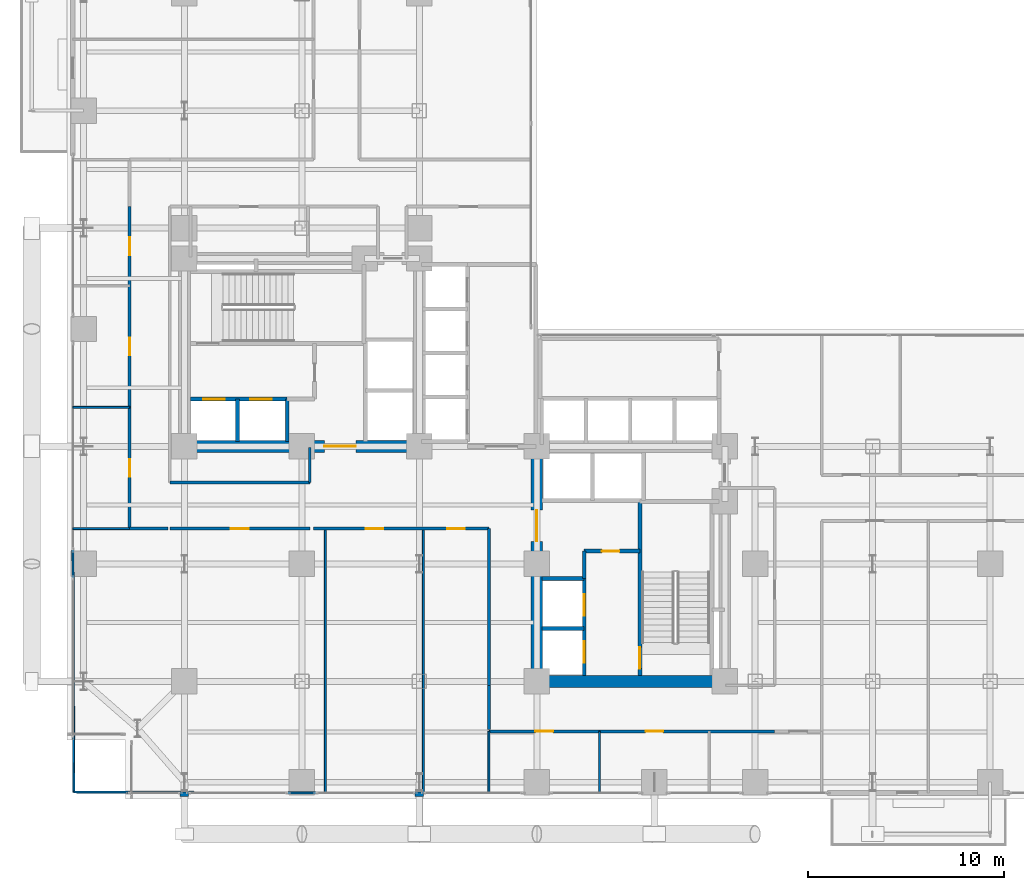
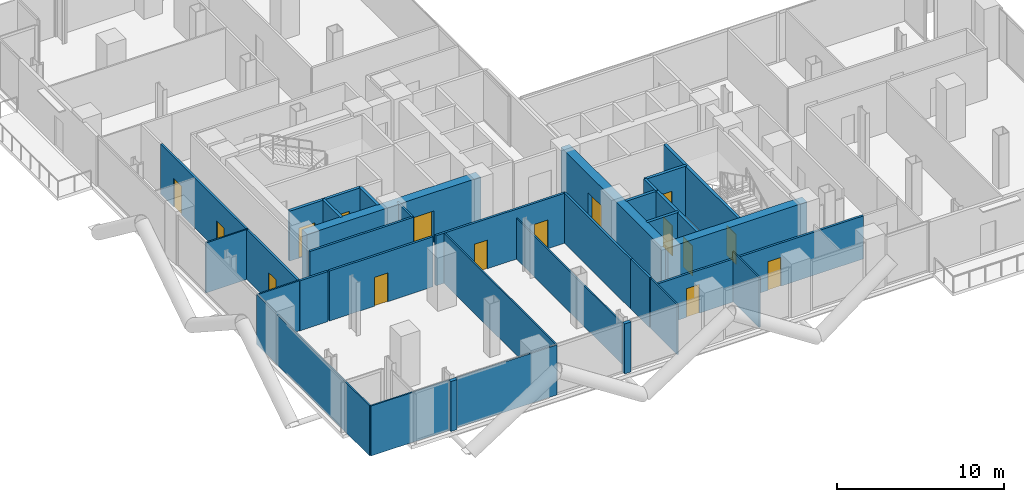
# One storey, part 21 of 27: 32 walls, 16 doors, 16 openings.
"""IFC4 building model written with IfcOpenShell, lengths in metres."""

from ifc_helpers import new_model, si_unit, direction, frame, frame_2d, origin, place, context, subcontext, project, spatial, rectangle, extrude, material, layer, layer_set, type_object, element, fill, save


model = new_model("IFC4")

# Units and contexts
model_context = context("Model", 3, precision=1e-05, world=origin(), true_north=direction((0.0, 1.0)))
body_context = subcontext(model_context, "Body", "Model", "MODEL_VIEW")
ifc_project = project(units=[si_unit("LENGTHUNIT", "METRE"), si_unit("AREAUNIT", "SQUARE_METRE"), si_unit("VOLUMEUNIT", "CUBIC_METRE"), si_unit("PLANEANGLEUNIT", "RADIAN"), si_unit("MASSUNIT", "GRAM", prefix="KILO"), si_unit("THERMODYNAMICTEMPERATUREUNIT", "KELVIN"), si_unit("POWERUNIT", "WATT")], contexts=[model_context])

# Site, building, storey
site_placement = place(None, origin())
site = spatial("IfcSite", under=ifc_project, at=site_placement, CompositionType="ELEMENT")
building_placement = place(site_placement, origin())
building = spatial("IfcBuilding", under=site, at=building_placement, Name="Svarakhadi Broadcast Tower", CompositionType="ELEMENT")
storey_placement = place(building_placement, frame((0.0, 0.0, 40.199951171875)))
storey = spatial("IfcBuildingStorey", under=building, at=storey_placement, Name="L08", CompositionType="ELEMENT", Elevation=40.199951171875)

# Walls
ifc_material_1 = material(Name="Concrete C40/50 (IS 456 M50)", Category="concrete")
ifc_layer_1 = layer(ifc_material_1, 0.239990234375)
ifc_layer_set_1 = layer_set([ifc_layer_1], Name="Concrete C40/50 (IS 456 M50)")
wall_type_1 = type_object("IfcWallType", Name="Wall_Ext_240", PredefinedType="SOLIDWALL", material=ifc_layer_set_1)
for number, where, z_axis, x_axis, name in (
    (1, (18.215087890625, 0.239990234375, 0.0), (0.0, 0.0, 1.0), (-1.0, 0.0, 0.0), "L08 Perimeter Bronze Spandrel Closure Wall 05"),
    (2, (6.215087890625, 0.239990234375, 0.0), (0.0, 0.0, 1.0), (-1.0, 0.0, 0.0), "L08 Perimeter Bronze Spandrel Closure Wall 06"),
):
    element("IfcWall", number, at=place(storey_placement, frame(where, z_axis=z_axis, x_axis=x_axis)), inside=storey, type_object=wall_type_1, Name=name, PredefinedType="SOLIDWALL", context=body_context, shape_type="SweptSolid", body=[
        extrude(rectangle(XDim=0.43017578125, YDim=0.239990234375, at=frame_2d((0.215087890625, 0.0))), origin(), (0.0, 0.0, 1.0), 3.650146484375),
    ])
ifc_material_2 = material(Name="Fire-Rated Moisture-Resistant Gypsum Board Partition", Category="gypsum")
ifc_layer_2 = layer(ifc_material_2, 0.10009765625)
ifc_layer_set_2 = layer_set([ifc_layer_2], Name="Fire-Rated Moisture-Resistant Gypsum Board Partition")
wall_type_2 = type_object("IfcWallType", Name="Wall_Part_100", PredefinedType="PARTITIONING", material=ifc_layer_set_2)
wall_1_placement = place(storey_placement, frame((0.35009765625, 0.35009765625, 0.0), z_axis=(0.0, 0.0, 1.0), x_axis=(0.999992363151, -0.003908150379, 0.0)))
element("IfcWall", 3, at=wall_1_placement, inside=storey, type_object=wall_type_2, Name="L08 Main Broadcast Newsroom Open Desk Office Wall", PredefinedType="PARTITIONING", context=body_context, shape_type="SweptSolid", body=[
    extrude(rectangle(XDim=5.434814453125, YDim=0.10009765625, at=frame_2d((2.71728515625, 0.0))), origin(), (0.0, 0.0, 1.0), 3.650146484375),
])
wall_2_placement = place(storey_placement, frame((6.215087890625, 0.3271484375, 0.0), z_axis=(0.0, 0.0, 1.0), x_axis=(0.999992473807, -0.003879733121, 0.0)))
element("IfcWall", 4, at=wall_2_placement, inside=storey, type_object=wall_type_2, Name="L08 Main Broadcast Newsroom Open Desk Office Wall", PredefinedType="PARTITIONING", context=body_context, shape_type="SweptSolid", body=[
    extrude(rectangle(XDim=6.98486328125, YDim=0.10009765625, at=frame_2d((3.492431640625, 0.0))), origin(), (0.0, 0.0, 1.0), 3.650146484375),
])
wall_3_placement = place(storey_placement, frame((0.35009765625, 0.35009765625, 0.0), z_axis=(0.0, 0.0, 1.0), x_axis=(-0.003721090209, 0.99999307672, 0.0)))
element("IfcWall", 5, at=wall_3_placement, inside=storey, type_object=wall_type_2, Name="L08 Main Broadcast Newsroom Open Desk Office Wall", PredefinedType="PARTITIONING", context=body_context, shape_type="SweptSolid", body=[
    extrude(rectangle(XDim=13.449951171875, YDim=0.10009765625, at=frame_2d((6.72509765625, 0.0))), origin(), (0.0, 0.0, 1.0), 3.650146484375),
])
wall_4_placement = place(storey_placement, frame((13.199951171875, 0.300048828125, 0.0), z_axis=(0.0, 0.0, 1.0), x_axis=(0.0, 1.0, 0.0)))
element("IfcWall", 6, at=wall_4_placement, inside=storey, type_object=wall_type_2, Name="L08 Main Broadcast Newsroom Open Desk Office Wall", PredefinedType="PARTITIONING", context=body_context, shape_type="SweptSolid", body=[
    extrude(rectangle(XDim=13.5, YDim=0.10009765625, at=frame_2d((6.75, 0.0))), origin(), (0.0, 0.0, 1.0), 3.650146484375),
])
wall_5_placement = place(storey_placement, frame((18.199951171875, 0.300048828125, 0.0), z_axis=(0.0, 0.0, 1.0), x_axis=(0.0, 1.0, 0.0)))
element("IfcWall", 7, at=wall_5_placement, inside=storey, type_object=wall_type_2, Name="L08 Editorial Morning Conference Room Wall", PredefinedType="PARTITIONING", context=body_context, shape_type="SweptSolid", body=[
    extrude(rectangle(XDim=13.5, YDim=0.10009765625, at=frame_2d((6.75, 0.0))), origin(), (0.0, 0.0, 1.0), 2.991943359375),
])
for number, where, z_axis, x_axis, name in (
    (8, (0.300048828125, 13.800048828125, 0.0), (0.0, 0.0, 1.0), (1.0, 0.0, 0.0), "L08 Arabian Sea Commentary Booth Wall"),
    (9, (0.300048828125, 20.0, 0.0), (0.0, 0.0, 1.0), (1.0, 0.0, 0.0), "L08 Arabian Sea Commentary Booth Wall"),
):
    element("IfcWall", number, at=place(storey_placement, frame(where, z_axis=z_axis, x_axis=x_axis)), inside=storey, type_object=wall_type_2, Name=name, PredefinedType="PARTITIONING", context=body_context, shape_type="SweptSolid", body=[
        extrude(rectangle(XDim=2.89990234375, YDim=0.10009765625, at=frame_2d((1.449951171875, 0.0))), origin(), (0.0, 0.0, 1.0), 3.650146484375),
    ])
for number, where, z_axis, x_axis, name in (
    (10, (21.550048828125, 0.300048828125, 0.0), (0.0, 0.0, 1.0), (0.0, 1.0, 0.0), "L08 South Harbour Editorial Desk Wall"),
    (11, (27.199951171875, 0.300048828125, 0.0), (0.0, 0.0, 1.0), (0.0, 1.0, 0.0), "L08 South Harbour Editorial Desk Wall"),
):
    element("IfcWall", number, at=place(storey_placement, frame(where, z_axis=z_axis, x_axis=x_axis)), inside=storey, type_object=wall_type_2, Name=name, PredefinedType="PARTITIONING", context=body_context, shape_type="SweptSolid", body=[
        extrude(rectangle(XDim=3.14990234375, YDim=0.10009765625, at=frame_2d((1.574951171875, 0.0))), origin(), (0.0, 0.0, 1.0), 3.650146484375),
    ])

# Wall, openings, doors
ifc_material_3 = material(Name="Autoclaved Aerated Concrete Blockwork 150 mm", Category="masonry")
ifc_layer_3 = layer(ifc_material_3, 0.14990234375)
ifc_layer_set_3 = layer_set([ifc_layer_3], Name="Autoclaved Aerated Concrete Blockwork 150 mm")
wall_type_3 = type_object("IfcWallType", Name="Wall_Part_150", PredefinedType="PARTITIONING", material=ifc_layer_set_3)
wall_6_placement = place(storey_placement, frame((36.14990234375, 3.449951171875, 0.0), z_axis=(0.0, 0.0, 1.0), x_axis=(-1.0, 0.0, 0.0)))
wall_6 = element("IfcWall", 12, at=wall_6_placement, inside=storey, type_object=wall_type_3, Name="L08 Broadcast Corridor Wall", PredefinedType="PARTITIONING", context=body_context, shape_type="SweptSolid", body=[
    extrude(rectangle(XDim=14.599853515625, YDim=0.14990234375, at=frame_2d((7.2998046875, 0.0))), origin(), (0.0, 0.0, 1.0), 3.14208984375),
])
opening_1_placement = place(wall_6_placement, frame((11.324951171875, 0.0, 0.0)))
opening_1 = element("IfcOpeningElement", 13, at=opening_1_placement, cuts=wall_6, Name="Opening D-14", PredefinedType="OPENING", context=body_context, shape_type="SweptSolid", body=[
    extrude(rectangle(XDim=0.89990234375, YDim=2.10009765625, at=frame_2d((0.449951171875, 1.050048828125))), frame((0.0, 0.0849609375, 0.0), z_axis=(0.0, -1.0, 0.0), x_axis=(1.0, 0.0, 0.0)), (0.0, 0.0, 1.0), 0.169921875),
])
opening_2_placement = place(wall_6_placement, frame((5.699951171875, 0.0, 0.0)))
opening_2 = element("IfcOpeningElement", 14, at=opening_2_placement, cuts=wall_6, Name="Opening D-15", PredefinedType="OPENING", context=body_context, shape_type="SweptSolid", body=[
    extrude(rectangle(XDim=0.89990234375, YDim=2.10009765625, at=frame_2d((0.449951171875, 1.050048828125))), frame((0.0, 0.0849609375, 0.0), z_axis=(0.0, -1.0, 0.0), x_axis=(1.0, 0.0, 0.0)), (0.0, 0.0, 1.0), 0.169921875),
])
ifc_material_4 = material(Name="Solid-Core Teak Veneer Acoustic Timber Leaf", Category="wood")
door_type_1 = type_object("IfcDoorType", Name="Door_Int_D14", OperationType="SINGLE_SWING_LEFT", PredefinedType="DOOR", material=ifc_material_4)
door_1_placement = place(opening_1_placement, origin())
door_1 = element("IfcDoor", 15, at=door_1_placement, inside=storey, type_object=door_type_1, Name="L08 South Harbour Editorial Desk Door", OperationType="SINGLE_SWING_LEFT", OverallHeight=2.10009765625, OverallWidth=0.89990234375, PredefinedType="DOOR", context=body_context, shape_type="SweptSolid", body=[
    extrude(rectangle(XDim=0.89990234375, YDim=2.10009765625, at=frame_2d((0.449951171875, 1.050048828125))), frame((0.0, 0.02490234375, 0.0), z_axis=(0.0, -1.0, 0.0), x_axis=(1.0, 0.0, 0.0)), (0.0, 0.0, 1.0), 0.050048828125),
])
fill(opening_1, door_1)
door_type_2 = type_object("IfcDoorType", Name="Door_Int_D15", OperationType="SINGLE_SWING_RIGHT", PredefinedType="DOOR", material=ifc_material_4)
door_2_placement = place(opening_2_placement, origin())
door_2 = element("IfcDoor", 16, at=door_2_placement, inside=storey, type_object=door_type_2, Name="L08 Media Legal Review Office Door", OperationType="SINGLE_SWING_RIGHT", OverallHeight=2.10009765625, OverallWidth=0.89990234375, PredefinedType="DOOR", context=body_context, shape_type="SweptSolid", body=[
    extrude(rectangle(XDim=0.89990234375, YDim=2.10009765625, at=frame_2d((0.449951171875, 1.050048828125))), frame((0.0, 0.02490234375, 0.0), z_axis=(0.0, -1.0, 0.0), x_axis=(1.0, 0.0, 0.0)), (0.0, 0.0, 1.0), 0.050048828125),
])
fill(opening_2, door_2)

# Walls
wall_7_placement = place(storey_placement, frame((21.550048828125, 3.550048828125, 0.0), z_axis=(0.0, 0.0, 1.0), x_axis=(0.0, 1.0, 0.0)))
element("IfcWall", 17, at=wall_7_placement, inside=storey, type_object=wall_type_3, Name="L08 Broadcast Corridor Wall", PredefinedType="PARTITIONING", context=body_context, shape_type="SweptSolid", body=[
    extrude(rectangle(XDim=2.25, YDim=0.14990234375, at=frame_2d((1.125, 0.0))), origin(), (0.0, 0.0, 1.0), 3.650146484375),
])
wall_8_placement = place(storey_placement, frame((21.550048828125, 5.800048828125, 0.0), z_axis=(0.0, 0.0, 1.0), x_axis=(0.0, 1.0, 0.0)))
element("IfcWall", 18, at=wall_8_placement, inside=storey, type_object=wall_type_3, Name="L08 Broadcast Corridor Wall", PredefinedType="PARTITIONING", context=body_context, shape_type="SweptSolid", body=[
    extrude(rectangle(XDim=8.0, YDim=0.14990234375, at=frame_2d((4.0, 0.0))), origin(), (0.0, 0.0, 1.0), 3.650146484375),
])

# Wall, openings, doors
wall_9_placement = place(storey_placement, frame((21.550048828125, 13.800048828125, 0.0), z_axis=(0.0, 0.0, 1.0), x_axis=(-1.0, 0.0, 0.0)))
wall_9 = element("IfcWall", 19, at=wall_9_placement, inside=storey, type_object=wall_type_3, Name="L08 Broadcast Corridor Wall", PredefinedType="PARTITIONING", context=body_context, shape_type="SweptSolid", body=[
    extrude(rectangle(XDim=8.949951171875, YDim=0.14990234375, at=frame_2d((4.47509765625, 0.0))), origin(), (0.0, 0.0, 1.0), 3.650146484375),
])
opening_3_placement = place(wall_9_placement, frame((5.39990234375, 0.0, 0.0)))
opening_3 = element("IfcOpeningElement", 20, at=opening_3_placement, cuts=wall_9, Name="Opening D-14", PredefinedType="OPENING", context=body_context, shape_type="SweptSolid", body=[
    extrude(rectangle(XDim=0.89990234375, YDim=2.10009765625, at=frame_2d((0.449951171875, 1.050048828125))), frame((0.0, 0.0849609375, 0.0), z_axis=(0.0, -1.0, 0.0), x_axis=(1.0, 0.0, 0.0)), (0.0, 0.0, 1.0), 0.169921875),
])
opening_4_placement = place(wall_9_placement, frame((1.22509765625, 0.0, 0.0)))
opening_4 = element("IfcOpeningElement", 21, at=opening_4_placement, cuts=wall_9, Name="Opening D-15", PredefinedType="OPENING", context=body_context, shape_type="SweptSolid", body=[
    extrude(rectangle(XDim=0.89990234375, YDim=2.10009765625, at=frame_2d((0.449951171875, 1.050048828125))), frame((0.0, 0.0849609375, 0.0), z_axis=(0.0, -1.0, 0.0), x_axis=(1.0, 0.0, 0.0)), (0.0, 0.0, 1.0), 0.169921875),
])
door_3_placement = place(opening_3_placement, origin())
door_3 = element("IfcDoor", 22, at=door_3_placement, inside=storey, type_object=door_type_1, Name="L08 Editorial Morning Conference Room Door", OperationType="SINGLE_SWING_LEFT", OverallHeight=2.10009765625, OverallWidth=0.89990234375, PredefinedType="DOOR", context=body_context, shape_type="SweptSolid", body=[
    extrude(rectangle(XDim=0.89990234375, YDim=2.10009765625, at=frame_2d((0.449951171875, 1.050048828125))), frame((0.0, 0.02490234375, 0.0), z_axis=(0.0, -1.0, 0.0), x_axis=(1.0, 0.0, 0.0)), (0.0, 0.0, 1.0), 0.050048828125),
])
fill(opening_3, door_3)
door_4_placement = place(opening_4_placement, origin())
door_4 = element("IfcDoor", 23, at=door_4_placement, inside=storey, type_object=door_type_2, Name="L08 Newsroom Tea Pantry Door", OperationType="SINGLE_SWING_RIGHT", OverallHeight=2.10009765625, OverallWidth=0.89990234375, PredefinedType="DOOR", context=body_context, shape_type="SweptSolid", body=[
    extrude(rectangle(XDim=0.89990234375, YDim=2.10009765625, at=frame_2d((0.449951171875, 1.050048828125))), frame((0.0, 0.02490234375, 0.0), z_axis=(0.0, -1.0, 0.0), x_axis=(1.0, 0.0, 0.0)), (0.0, 0.0, 1.0), 0.050048828125),
])
fill(opening_4, door_4)

# Wall, opening, door
wall_10_placement = place(storey_placement, frame((12.39990234375, 13.800048828125, 0.0), z_axis=(0.0, 0.0, 1.0), x_axis=(-1.0, 0.0, 0.0)))
wall_10 = element("IfcWall", 24, at=wall_10_placement, inside=storey, type_object=wall_type_3, Name="L08 Broadcast Corridor Wall", PredefinedType="PARTITIONING", context=body_context, shape_type="SweptSolid", body=[
    extrude(rectangle(XDim=7.14990234375, YDim=0.14990234375, at=frame_2d((3.574951171875, 0.0))), origin(), (0.0, 0.0, 1.0), 3.650146484375),
])
opening_5_placement = place(wall_10_placement, frame((3.125, 0.0, 0.0)))
opening_5 = element("IfcOpeningElement", 25, at=opening_5_placement, cuts=wall_10, Name="Opening D-14", PredefinedType="OPENING", context=body_context, shape_type="SweptSolid", body=[
    extrude(rectangle(XDim=0.89990234375, YDim=2.10009765625, at=frame_2d((0.449951171875, 1.050048828125))), frame((0.0, 0.0849609375, 0.0), z_axis=(0.0, -1.0, 0.0), x_axis=(1.0, 0.0, 0.0)), (0.0, 0.0, 1.0), 0.169921875),
])
door_5_placement = place(opening_5_placement, origin())
door_5 = element("IfcDoor", 26, at=door_5_placement, inside=storey, type_object=door_type_1, Name="L08 Main Broadcast Newsroom Open Desk Office Door", OperationType="SINGLE_SWING_LEFT", OverallHeight=2.10009765625, OverallWidth=0.89990234375, PredefinedType="DOOR", context=body_context, shape_type="SweptSolid", body=[
    extrude(rectangle(XDim=0.89990234375, YDim=2.10009765625, at=frame_2d((0.449951171875, 1.050048828125))), frame((0.0, 0.02490234375, 0.0), z_axis=(0.0, -1.0, 0.0), x_axis=(1.0, 0.0, 0.0)), (0.0, 0.0, 1.0), 0.050048828125),
])
fill(opening_5, door_5)

# Wall
wall_11_placement = place(storey_placement, frame((5.14990234375, 13.800048828125, 0.0), z_axis=(0.0, 0.0, 1.0), x_axis=(-1.0, 0.0, 0.0)))
element("IfcWall", 27, at=wall_11_placement, inside=storey, type_object=wall_type_3, Name="L08 Broadcast Corridor Wall", PredefinedType="PARTITIONING", context=body_context, shape_type="SweptSolid", body=[
    extrude(rectangle(XDim=1.949951171875, YDim=0.14990234375, at=frame_2d((0.97509765625, 0.0))), origin(), (0.0, 0.0, 1.0), 3.650146484375),
])

# Wall, openings, doors
wall_12_placement = place(storey_placement, frame((3.199951171875, 13.800048828125, 0.0), z_axis=(0.0, 0.0, 1.0), x_axis=(0.0, 1.0, 0.0)))
wall_12 = element("IfcWall", 28, at=wall_12_placement, inside=storey, type_object=wall_type_3, Name="L08 Broadcast Corridor Wall", PredefinedType="PARTITIONING", context=body_context, shape_type="SweptSolid", body=[
    extrude(rectangle(XDim=16.449951171875, YDim=0.14990234375, at=frame_2d((8.22509765625, 0.0))), origin(), (0.0, 0.0, 1.0), 3.650146484375),
])
opening_6_placement = place(wall_12_placement, frame((2.64990234375, 0.0, 0.0)))
opening_6 = element("IfcOpeningElement", 29, at=opening_6_placement, cuts=wall_12, Name="Opening D-15", PredefinedType="OPENING", context=body_context, shape_type="SweptSolid", body=[
    extrude(rectangle(XDim=0.89990234375, YDim=2.10009765625, at=frame_2d((0.449951171875, 1.050048828125))), frame((0.0, 0.0849609375, 0.0), z_axis=(0.0, -1.0, 0.0), x_axis=(1.0, 0.0, 0.0)), (0.0, 0.0, 1.0), 0.169921875),
])
opening_7_placement = place(wall_12_placement, frame((8.85009765625, 0.0, 0.0)))
opening_7 = element("IfcOpeningElement", 30, at=opening_7_placement, cuts=wall_12, Name="Opening D-14", PredefinedType="OPENING", context=body_context, shape_type="SweptSolid", body=[
    extrude(rectangle(XDim=0.89990234375, YDim=2.10009765625, at=frame_2d((0.449951171875, 1.050048828125))), frame((0.0, 0.0849609375, 0.0), z_axis=(0.0, -1.0, 0.0), x_axis=(1.0, 0.0, 0.0)), (0.0, 0.0, 1.0), 0.169921875),
])
opening_8_placement = place(wall_12_placement, frame((13.97509765625, 0.0, 0.0)))
opening_8 = element("IfcOpeningElement", 31, at=opening_8_placement, cuts=wall_12, Name="Opening D-15", PredefinedType="OPENING", context=body_context, shape_type="SweptSolid", body=[
    extrude(rectangle(XDim=0.89990234375, YDim=2.10009765625, at=frame_2d((0.449951171875, 1.050048828125))), frame((0.0, 0.0849609375, 0.0), z_axis=(0.0, -1.0, 0.0), x_axis=(1.0, 0.0, 0.0)), (0.0, 0.0, 1.0), 0.169921875),
])
door_6_placement = place(opening_7_placement, origin())
door_6 = element("IfcDoor", 32, at=door_6_placement, inside=storey, type_object=door_type_1, Name="L08 Live Translation Studio Door", OperationType="SINGLE_SWING_LEFT", OverallHeight=2.10009765625, OverallWidth=0.89990234375, PredefinedType="DOOR", context=body_context, shape_type="SweptSolid", body=[
    extrude(rectangle(XDim=0.89990234375, YDim=2.10009765625, at=frame_2d((0.449951171875, 1.050048828125))), frame((0.0, 0.02490234375, 0.0), z_axis=(0.0, -1.0, 0.0), x_axis=(1.0, 0.0, 0.0)), (0.0, 0.0, 1.0), 0.050048828125),
])
fill(opening_7, door_6)
door_7_placement = place(opening_6_placement, origin())
door_7 = element("IfcDoor", 33, at=door_7_placement, inside=storey, type_object=door_type_2, Name="L08 Arabian Sea Commentary Booth Door", OperationType="SINGLE_SWING_RIGHT", OverallHeight=2.10009765625, OverallWidth=0.89990234375, PredefinedType="DOOR", context=body_context, shape_type="SweptSolid", body=[
    extrude(rectangle(XDim=0.89990234375, YDim=2.10009765625, at=frame_2d((0.449951171875, 1.050048828125))), frame((0.0, 0.02490234375, 0.0), z_axis=(0.0, -1.0, 0.0), x_axis=(1.0, 0.0, 0.0)), (0.0, 0.0, 1.0), 0.050048828125),
])
fill(opening_6, door_7)
door_8_placement = place(opening_8_placement, origin())
door_8 = element("IfcDoor", 34, at=door_8_placement, inside=storey, type_object=door_type_2, Name="L08 Producer Quiet Lounge Door", OperationType="SINGLE_SWING_RIGHT", OverallHeight=2.10009765625, OverallWidth=0.89990234375, PredefinedType="DOOR", context=body_context, shape_type="SweptSolid", body=[
    extrude(rectangle(XDim=0.89990234375, YDim=2.10009765625, at=frame_2d((0.449951171875, 1.050048828125))), frame((0.0, 0.02490234375, 0.0), z_axis=(0.0, -1.0, 0.0), x_axis=(1.0, 0.0, 0.0)), (0.0, 0.0, 1.0), 0.050048828125),
])
fill(opening_8, door_8)

# Walls
wall_13_placement = place(storey_placement, frame((5.25, 16.14990234375, 0.0), z_axis=(0.0, 0.0, 1.0), x_axis=(1.0, 0.0, 0.0)))
element("IfcWall", 35, at=wall_13_placement, inside=storey, type_object=wall_type_3, Name="L08 Broadcast Corridor Wall", PredefinedType="PARTITIONING", context=body_context, shape_type="SweptSolid", body=[
    extrude(rectangle(XDim=7.14990234375, YDim=0.14990234375, at=frame_2d((3.574951171875, 0.0))), origin(), (0.0, 0.0, 1.0), 3.650146484375),
])
wall_14_placement = place(storey_placement, frame((12.39990234375, 16.14990234375, 0.0), z_axis=(0.0, 0.0, 1.0), x_axis=(0.0, 1.0, 0.0)))
element("IfcWall", 36, at=wall_14_placement, inside=storey, type_object=wall_type_3, Name="L08 Broadcast Corridor Wall", PredefinedType="PARTITIONING", context=body_context, shape_type="SweptSolid", body=[
    extrude(rectangle(XDim=1.800048828125, YDim=0.14990234375, at=frame_2d((0.89990234375, 0.0))), origin(), (0.0, 0.0, 1.0), 3.650146484375),
])

# Wall, opening, door
ifc_material_5 = material(Name="Concrete C50/60 (IS 456 M60)", Category="concrete")
ifc_layer_4 = layer(ifc_material_5, 0.199951171875)
ifc_layer_set_4 = layer_set([ifc_layer_4], Name="Concrete C50/60 (IS 456 M60)")
wall_type_4 = type_object("IfcWallType", Name="Wall_Shear_200", PredefinedType="SHEAR", material=ifc_layer_set_4)
wall_15_placement = place(storey_placement, frame((29.260009765625, 6.300048828125, 0.0), z_axis=(0.0, 0.0, 1.0), x_axis=(0.0, 1.0, 0.0)))
wall_15 = element("IfcWall", 37, at=wall_15_placement, inside=storey, type_object=wall_type_4, Name="L08 Stair ST-02 West RC Shaft Wall", PredefinedType="SHEAR", context=body_context, shape_type="SweptSolid", body=[
    extrude(rectangle(XDim=8.8798828125, YDim=0.199951171875, at=frame_2d((4.43994140625, 0.0))), origin(), (0.0, 0.0, 1.0), 3.650146484375),
])
opening_9_placement = place(wall_15_placement, frame((0.35009765625, 0.0, 0.0)))
opening_9 = element("IfcOpeningElement", 38, at=opening_9_placement, cuts=wall_15, Name="Opening D-02", PredefinedType="OPENING", context=body_context, shape_type="SweptSolid", body=[
    extrude(rectangle(XDim=1.10009765625, YDim=2.199951171875, at=frame_2d((0.550048828125, 1.10009765625))), frame((0.0, 0.10986328125, 0.0), z_axis=(0.0, -1.0, 0.0), x_axis=(1.0, 0.0, 0.0)), (0.0, 0.0, 1.0), 0.219970703125),
])
ifc_material_6 = material(Name="Galvanised Powder-Coated Fire-Rated Steel Leaf", Category="steel")
door_type_3 = type_object("IfcDoorType", Name="Door_Stair_D02", OperationType="SINGLE_SWING_RIGHT", PredefinedType="DOOR", material=ifc_material_6)
door_9_placement = place(opening_9_placement, origin())
door_9 = element("IfcDoor", 39, at=door_9_placement, inside=storey, type_object=door_type_3, Name="L08 Protected Exit Stair ST-02 Fire Door", OperationType="SINGLE_SWING_RIGHT", OverallHeight=2.199951171875, OverallWidth=1.10009765625, PredefinedType="DOOR", context=body_context, shape_type="SweptSolid", body=[
    extrude(rectangle(XDim=1.10009765625, YDim=2.199951171875, at=frame_2d((0.550048828125, 1.10009765625))), frame((0.0, 0.02490234375, 0.0), z_axis=(0.0, -1.0, 0.0), x_axis=(1.0, 0.0, 0.0)), (0.0, 0.0, 1.0), 0.050048828125),
])
fill(opening_9, door_9)

# Wall, openings, doors
wall_16_placement = place(storey_placement, frame((6.300048828125, 20.419921875, 0.0), z_axis=(0.0, 0.0, 1.0), x_axis=(1.0, 0.0, 0.0)))
wall_16 = element("IfcWall", 40, at=wall_16_placement, inside=storey, type_object=wall_type_4, Name="L08 Firefighting Lift LF-01/02 Shaft Wall", PredefinedType="SHEAR", context=body_context, shape_type="SweptSolid", body=[
    extrude(rectangle(XDim=4.949951171875, YDim=0.199951171875, at=frame_2d((2.47509765625, 0.0))), origin(), (0.0, 0.0, 1.0), 3.650146484375),
])
opening_10_placement = place(wall_16_placement, frame((0.64990234375, 0.0, 0.0)))
opening_10 = element("IfcOpeningElement", 41, at=opening_10_placement, cuts=wall_16, Name="Opening LD-01", PredefinedType="OPENING", context=body_context, shape_type="SweptSolid", body=[
    extrude(rectangle(XDim=1.10009765625, YDim=2.199951171875, at=frame_2d((0.550048828125, 1.10009765625))), frame((0.0, 0.10986328125, 0.0), z_axis=(0.0, -1.0, 0.0), x_axis=(1.0, 0.0, 0.0)), (0.0, 0.0, 1.0), 0.219970703125),
])
opening_11_placement = place(wall_16_placement, frame((3.050048828125, 0.0, 0.0)))
opening_11 = element("IfcOpeningElement", 42, at=opening_11_placement, cuts=wall_16, Name="Opening LD-01", PredefinedType="OPENING", context=body_context, shape_type="SweptSolid", body=[
    extrude(rectangle(XDim=1.10009765625, YDim=2.199951171875, at=frame_2d((0.550048828125, 1.10009765625))), frame((0.0, 0.10986328125, 0.0), z_axis=(0.0, -1.0, 0.0), x_axis=(1.0, 0.0, 0.0)), (0.0, 0.0, 1.0), 0.219970703125),
])
door_type_4 = type_object("IfcDoorType", Name="Door_Lift_LD01", OperationType="SLIDING_TO_LEFT", PredefinedType="DOOR", material=ifc_material_6)
door_10_placement = place(opening_10_placement, origin())
door_10 = element("IfcDoor", 43, at=door_10_placement, inside=storey, type_object=door_type_4, Name="L08 Firefighting Lift LF-01 Landing Door", OperationType="SLIDING_TO_LEFT", OverallHeight=2.199951171875, OverallWidth=1.10009765625, PredefinedType="DOOR", context=body_context, shape_type="SweptSolid", body=[
    extrude(rectangle(XDim=1.10009765625, YDim=2.199951171875, at=frame_2d((0.550048828125, 1.10009765625))), frame((0.0, 0.02490234375, 0.0), z_axis=(0.0, -1.0, 0.0), x_axis=(1.0, 0.0, 0.0)), (0.0, 0.0, 1.0), 0.050048828125),
])
fill(opening_10, door_10)
door_11_placement = place(opening_11_placement, origin())
door_11 = element("IfcDoor", 44, at=door_11_placement, inside=storey, type_object=door_type_4, Name="L08 Firefighting Lift LF-02 Landing Door", OperationType="SLIDING_TO_LEFT", OverallHeight=2.199951171875, OverallWidth=1.10009765625, PredefinedType="DOOR", context=body_context, shape_type="SweptSolid", body=[
    extrude(rectangle(XDim=1.10009765625, YDim=2.199951171875, at=frame_2d((0.550048828125, 1.10009765625))), frame((0.0, 0.02490234375, 0.0), z_axis=(0.0, -1.0, 0.0), x_axis=(1.0, 0.0, 0.0)), (0.0, 0.0, 1.0), 0.050048828125),
])
fill(opening_11, door_11)

# Walls
for number, where, z_axis, x_axis, name in (
    (45, (8.699951171875, 18.25, 0.0), (0.0, 0.0, 1.0), (0.0, 1.0, 0.0), "L08 Firefighting Lift LF-01/02 Divider Wall"),
    (46, (11.25, 18.25, 0.0), (0.0, 0.0, 1.0), (0.0, 1.0, 0.0), "L08 Firefighting Lift LF-02 East Wall"),
):
    element("IfcWall", number, at=place(storey_placement, frame(where, z_axis=z_axis, x_axis=x_axis)), inside=storey, type_object=wall_type_4, Name=name, PredefinedType="SHEAR", context=body_context, shape_type="SweptSolid", body=[
        extrude(rectangle(XDim=2.169921875, YDim=0.199951171875, at=frame_2d((1.0849609375, 0.0))), origin(), (0.0, 0.0, 1.0), 3.650146484375),
    ])

# Wall, openings, doors
wall_17_placement = place(storey_placement, frame((26.419921875, 6.300048828125, 0.0), z_axis=(0.0, 0.0, 1.0), x_axis=(0.0, 1.0, 0.0)))
wall_17 = element("IfcWall", 47, at=wall_17_placement, inside=storey, type_object=wall_type_4, Name="L08 Firefighting Lift LF-03/04 Shaft Wall", PredefinedType="SHEAR", context=body_context, shape_type="SweptSolid", body=[
    extrude(rectangle(XDim=4.949951171875, YDim=0.199951171875, at=frame_2d((2.47509765625, 0.0))), origin(), (0.0, 0.0, 1.0), 3.650146484375),
])
opening_12_placement = place(wall_17_placement, frame((0.64990234375, 0.0, 0.0)))
opening_12 = element("IfcOpeningElement", 48, at=opening_12_placement, cuts=wall_17, Name="Opening LD-01", PredefinedType="OPENING", context=body_context, shape_type="SweptSolid", body=[
    extrude(rectangle(XDim=1.10009765625, YDim=2.199951171875, at=frame_2d((0.550048828125, 1.10009765625))), frame((0.0, 0.10986328125, 0.0), z_axis=(0.0, -1.0, 0.0), x_axis=(1.0, 0.0, 0.0)), (0.0, 0.0, 1.0), 0.219970703125),
])
opening_13_placement = place(wall_17_placement, frame((3.050048828125, 0.0, 0.0)))
opening_13 = element("IfcOpeningElement", 49, at=opening_13_placement, cuts=wall_17, Name="Opening LD-01", PredefinedType="OPENING", context=body_context, shape_type="SweptSolid", body=[
    extrude(rectangle(XDim=1.10009765625, YDim=2.199951171875, at=frame_2d((0.550048828125, 1.10009765625))), frame((0.0, 0.10986328125, 0.0), z_axis=(0.0, -1.0, 0.0), x_axis=(1.0, 0.0, 0.0)), (0.0, 0.0, 1.0), 0.219970703125),
])
door_12_placement = place(opening_12_placement, origin())
door_12 = element("IfcDoor", 50, at=door_12_placement, inside=storey, type_object=door_type_4, Name="L08 Firefighting Lift LF-03 Landing Door", OperationType="SLIDING_TO_LEFT", OverallHeight=2.199951171875, OverallWidth=1.10009765625, PredefinedType="DOOR", context=body_context, shape_type="SweptSolid", body=[
    extrude(rectangle(XDim=1.10009765625, YDim=2.199951171875, at=frame_2d((0.550048828125, 1.10009765625))), frame((0.0, 0.02490234375, 0.0), z_axis=(0.0, -1.0, 0.0), x_axis=(1.0, 0.0, 0.0)), (0.0, 0.0, 1.0), 0.050048828125),
])
fill(opening_12, door_12)
door_13_placement = place(opening_13_placement, origin())
door_13 = element("IfcDoor", 51, at=door_13_placement, inside=storey, type_object=door_type_4, Name="L08 Firefighting Lift LF-04 Landing Door", OperationType="SLIDING_TO_LEFT", OverallHeight=2.199951171875, OverallWidth=1.10009765625, PredefinedType="DOOR", context=body_context, shape_type="SweptSolid", body=[
    extrude(rectangle(XDim=1.10009765625, YDim=2.199951171875, at=frame_2d((0.550048828125, 1.10009765625))), frame((0.0, 0.02490234375, 0.0), z_axis=(0.0, -1.0, 0.0), x_axis=(1.0, 0.0, 0.0)), (0.0, 0.0, 1.0), 0.050048828125),
])
fill(opening_13, door_13)

# Walls
for number, where, z_axis, x_axis, name in (
    (52, (24.25, 8.699951171875, 0.0), (0.0, 0.0, 1.0), (1.0, 0.0, 0.0), "L08 Firefighting Lift LF-03/04 Divider Wall"),
    (53, (24.25, 11.25, 0.0), (0.0, 0.0, 1.0), (1.0, 0.0, 0.0), "L08 Firefighting Lift LF-04 North Wall"),
):
    element("IfcWall", number, at=place(storey_placement, frame(where, z_axis=z_axis, x_axis=x_axis)), inside=storey, type_object=wall_type_4, Name=name, PredefinedType="SHEAR", context=body_context, shape_type="SweptSolid", body=[
        extrude(rectangle(XDim=2.169921875, YDim=0.199951171875, at=frame_2d((1.0849609375, 0.0))), origin(), (0.0, 0.0, 1.0), 3.650146484375),
    ])
wall_18_placement = place(storey_placement, frame((26.419921875, 11.25, 0.0), z_axis=(0.0, 0.0, 1.0), x_axis=(0.0, 1.0, 0.0)))
element("IfcWall", 54, at=wall_18_placement, inside=storey, type_object=wall_type_4, Name="L08 East Firefighting Lobby West Wall", PredefinedType="SHEAR", context=body_context, shape_type="SweptSolid", body=[
    extrude(rectangle(XDim=1.39990234375, YDim=0.199951171875, at=frame_2d((0.699951171875, 0.0))), origin(), (0.0, 0.0, 1.0), 3.650146484375),
])

# Wall, opening, door
wall_19_placement = place(storey_placement, frame((26.419921875, 12.64990234375, 0.0), z_axis=(0.0, 0.0, 1.0), x_axis=(1.0, 0.0, 0.0)))
wall_19 = element("IfcWall", 55, at=wall_19_placement, inside=storey, type_object=wall_type_4, Name="L08 East Firefighting Lobby North Wall", PredefinedType="SHEAR", context=body_context, shape_type="SweptSolid", body=[
    extrude(rectangle(XDim=2.840087890625, YDim=0.199951171875, at=frame_2d((1.419921875, 0.0))), origin(), (0.0, 0.0, 1.0), 3.650146484375),
])
opening_14_placement = place(wall_19_placement, frame((0.89990234375, 0.0, 0.0)))
opening_14 = element("IfcOpeningElement", 56, at=opening_14_placement, cuts=wall_19, Name="Opening D-04", PredefinedType="OPENING", context=body_context, shape_type="SweptSolid", body=[
    extrude(rectangle(XDim=0.89990234375, YDim=2.14990234375, at=frame_2d((0.449951171875, 1.074951171875))), frame((0.0, 0.10986328125, 0.0), z_axis=(0.0, -1.0, 0.0), x_axis=(1.0, 0.0, 0.0)), (0.0, 0.0, 1.0), 0.219970703125),
])
door_type_5 = type_object("IfcDoorType", Name="Door_Fire_D04", OperationType="SINGLE_SWING_RIGHT", PredefinedType="DOOR", material=ifc_material_6)
door_14_placement = place(opening_14_placement, origin())
door_14 = element("IfcDoor", 57, at=door_14_placement, inside=storey, type_object=door_type_5, Name="L08 East Firefighting Lobby Fire Door", OperationType="SINGLE_SWING_RIGHT", OverallHeight=2.14990234375, OverallWidth=0.89990234375, PredefinedType="DOOR", context=body_context, shape_type="SweptSolid", body=[
    extrude(rectangle(XDim=0.89990234375, YDim=2.14990234375, at=frame_2d((0.449951171875, 1.074951171875))), frame((0.0, 0.02490234375, 0.0), z_axis=(0.0, -1.0, 0.0), x_axis=(1.0, 0.0, 0.0)), (0.0, 0.0, 1.0), 0.050048828125),
])
fill(opening_14, door_14)

ifc_material_7 = material(Name="Concrete C60/75 (IS 456 M70)", Category="concrete")
ifc_layer_5 = layer(ifc_material_7, 0.60009765625)
ifc_layer_set_5 = layer_set([ifc_layer_5], Name="Concrete C60/75 (IS 456 M70)")
wall_type_5 = type_object("IfcWallType", Name="Wall_Shear_600", PredefinedType="SHEAR", material=ifc_layer_set_5)
wall_20_placement = place(storey_placement, frame((6.0, 18.0, 0.0), z_axis=(0.0, 0.0, 1.0), x_axis=(1.0, 0.0, 0.0)))
wall_20 = element("IfcWall", 58, at=wall_20_placement, inside=storey, type_object=wall_type_5, Name="L08 West Core South Shear Wall", PredefinedType="SHEAR", context=body_context, shape_type="SweptSolid", body=[
    extrude(rectangle(XDim=12.0, YDim=0.60009765625, at=frame_2d((6.0, 0.0))), origin(), (0.0, 0.0, 1.0), 3.650146484375),
])
opening_15_placement = place(wall_20_placement, frame((7.14990234375, 0.0, 0.0)))
opening_15 = element("IfcOpeningElement", 59, at=opening_15_placement, cuts=wall_20, Name="Opening D-05", PredefinedType="OPENING", context=body_context, shape_type="SweptSolid", body=[
    extrude(rectangle(XDim=1.60009765625, YDim=2.300048828125, at=frame_2d((0.800048828125, 1.14990234375))), frame((0.0, 0.31005859375, 0.0), z_axis=(0.0, -1.0, 0.0), x_axis=(1.0, 0.0, 0.0)), (0.0, 0.0, 1.0), 0.6201171875),
])
ifc_material_8 = material(Name="Anodised Bronze Aluminium AA 6063-T6", Category="aluminium")
door_type_6 = type_object("IfcDoorType", Name="Door_Lobby_D05", OperationType="DOUBLE_DOOR_SLIDING", PredefinedType="DOOR", material=ifc_material_8)
door_15_placement = place(opening_15_placement, origin())
door_15 = element("IfcDoor", 60, at=door_15_placement, inside=storey, type_object=door_type_6, Name="L08 West Core Passenger Lift Lobby Entrance Door", OperationType="DOUBLE_DOOR_SLIDING", OverallHeight=2.300048828125, OverallWidth=1.60009765625, PredefinedType="DOOR", context=body_context, shape_type="SweptSolid", body=[
    extrude(rectangle(XDim=1.60009765625, YDim=2.300048828125, at=frame_2d((0.800048828125, 1.14990234375))), frame((0.0, 0.02490234375, 0.0), z_axis=(0.0, -1.0, 0.0), x_axis=(1.0, 0.0, 0.0)), (0.0, 0.0, 1.0), 0.050048828125),
])
fill(opening_15, door_15)

# Wall
wall_21_placement = place(storey_placement, frame((24.0, 6.0, 0.0), z_axis=(0.0, 0.0, 1.0), x_axis=(1.0, 0.0, 0.0)))
element("IfcWall", 61, at=wall_21_placement, inside=storey, type_object=wall_type_5, Name="L08 East Core South Shear Wall", PredefinedType="SHEAR", context=body_context, shape_type="SweptSolid", body=[
    extrude(rectangle(XDim=9.60009765625, YDim=0.60009765625, at=frame_2d((4.800048828125, 0.0))), origin(), (0.0, 0.0, 1.0), 3.650146484375),
])

# Wall, opening, door
wall_22_placement = place(storey_placement, frame((24.0, 6.0, 0.0), z_axis=(0.0, 0.0, 1.0), x_axis=(0.0, 1.0, 0.0)))
wall_22 = element("IfcWall", 62, at=wall_22_placement, inside=storey, type_object=wall_type_5, Name="L08 East Core West Shear Wall", PredefinedType="SHEAR", context=body_context, shape_type="SweptSolid", body=[
    extrude(rectangle(XDim=12.0, YDim=0.60009765625, at=frame_2d((6.0, 0.0))), origin(), (0.0, 0.0, 1.0), 3.650146484375),
])
opening_16_placement = place(wall_22_placement, frame((7.14990234375, 0.0, 0.0)))
opening_16 = element("IfcOpeningElement", 63, at=opening_16_placement, cuts=wall_22, Name="Opening D-05", PredefinedType="OPENING", context=body_context, shape_type="SweptSolid", body=[
    extrude(rectangle(XDim=1.60009765625, YDim=2.300048828125, at=frame_2d((0.800048828125, 1.14990234375))), frame((0.0, 0.31005859375, 0.0), z_axis=(0.0, -1.0, 0.0), x_axis=(1.0, 0.0, 0.0)), (0.0, 0.0, 1.0), 0.6201171875),
])
door_16_placement = place(opening_16_placement, origin())
door_16 = element("IfcDoor", 64, at=door_16_placement, inside=storey, type_object=door_type_6, Name="L08 East Core Passenger Lift Lobby Entrance Door", OperationType="DOUBLE_DOOR_SLIDING", OverallHeight=2.300048828125, OverallWidth=1.60009765625, PredefinedType="DOOR", context=body_context, shape_type="SweptSolid", body=[
    extrude(rectangle(XDim=1.60009765625, YDim=2.300048828125, at=frame_2d((0.800048828125, 1.14990234375))), frame((0.0, 0.02490234375, 0.0), z_axis=(0.0, -1.0, 0.0), x_axis=(1.0, 0.0, 0.0)), (0.0, 0.0, 1.0), 0.050048828125),
])
fill(opening_16, door_16)

save(model, "model.ifc")
